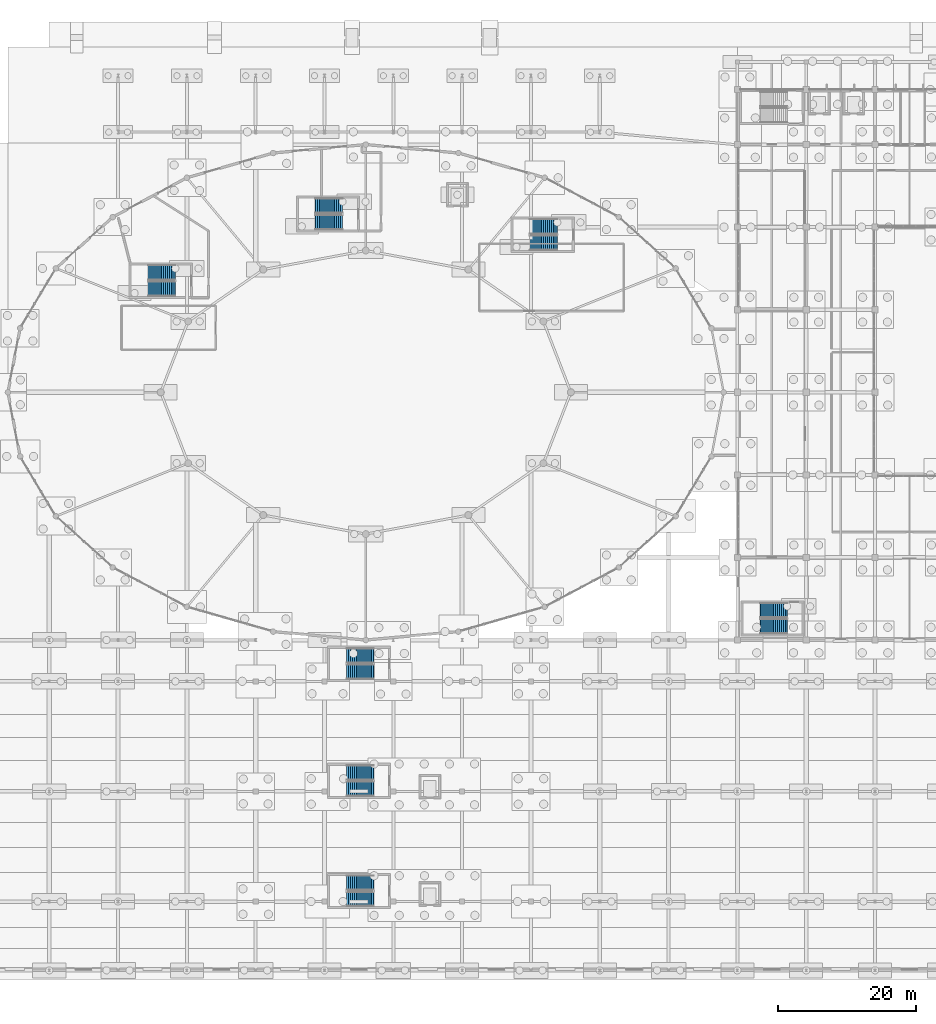
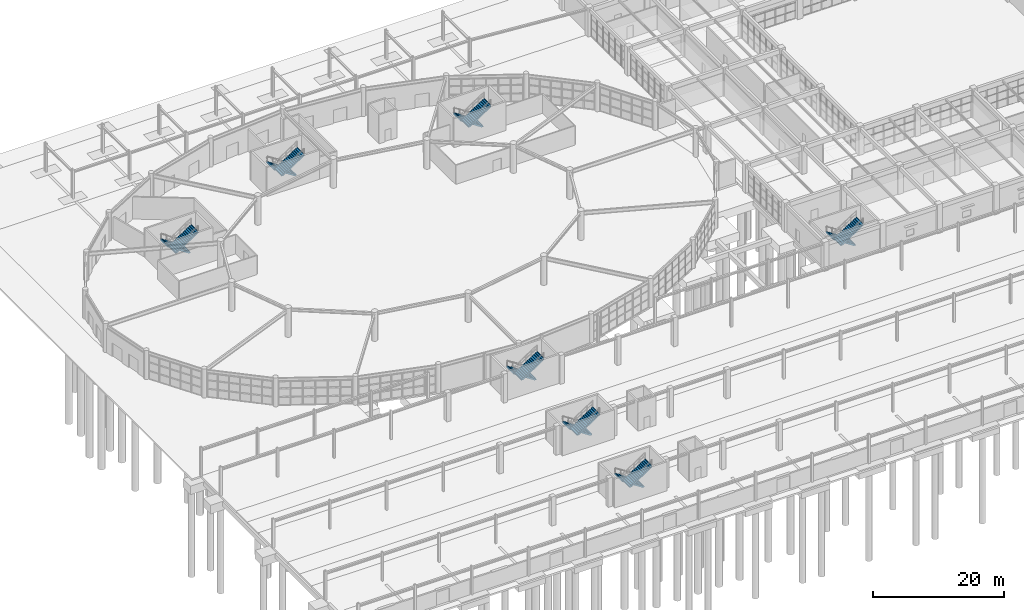
# One storey, part 85 of 99: 14 stair flights, 7 elements without a shape of their own.
"""IFC4 building model written with IfcOpenShell, lengths in metres."""

import ifcopenshell
import ifcopenshell.guid

model = None  # the IFC model being written
_history = None  # IfcOwnerHistory: only IFC2X3 demands one
_inside = {}  # id of a spatial element -> (the spatial element, [elements in it])
_under = {}  # id of a project, library or spatial element -> (it, [spatial elements below it])
_declared = {}  # id of a project -> (the project, [libraries it declares])
_typed = {}  # id of a type object -> (the type object, [elements of that type])
_made_of = {}  # id of a material, layer set ... -> (it, [elements and type objects made of it])


def new_model(schema):
    """Start an empty IFC model of exactly this schema.

    Asked for "IFC4X3", IfcOpenShell would pick the latest addendum, in which some entities
    have other attributes; the version numbers below select the first issue.
    IFC2X3 requires an IfcOwnerHistory on every rooted entity: one is made here for all.
    """
    global model, _history
    if schema == "IFC4X3":
        model = ifcopenshell.file(schema_version=(4, 3, 0, 0))
    else:
        model = ifcopenshell.file(schema=schema)
    _inside.clear()
    _under.clear()
    _declared.clear()
    _typed.clear()
    _made_of.clear()
    _history = None
    if model.schema == "IFC2X3":
        org = make("IfcOrganization", Name="unknown")
        user = make(
            "IfcPersonAndOrganization",
            ThePerson=make("IfcPerson", FamilyName="unknown"),
            TheOrganization=org,
        )
        app = make(
            "IfcApplication",
            ApplicationDeveloper=org,
            Version="unknown",
            ApplicationFullName="unknown",
            ApplicationIdentifier="unknown",
        )
        _history = make(
            "IfcOwnerHistory",
            OwningUser=user,
            OwningApplication=app,
            ChangeAction="ADDED",
            CreationDate=0,
        )
    return model


def make(cls, **values):
    """One entity of the class cls with the attributes given. An attribute that is None is left unset."""
    return model.create_entity(
        cls, **{name: value for name, value in values.items() if value is not None}
    )


def rooted(cls, **values):
    """An entity with a GlobalId (a new one), such as an element, a storey or a relation."""
    return make(cls, GlobalId=ifcopenshell.guid.new(), OwnerHistory=_history, **values)


def si_unit(unit_type, name, prefix=None):
    """IfcSIUnit, for example si_unit("LENGTHUNIT", "METRE", prefix="MILLI")."""
    return make("IfcSIUnit", UnitType=unit_type, Prefix=prefix, Name=name)


def assignment(units):
    """IfcUnitAssignment: the units of a project."""
    return None if units is None else make("IfcUnitAssignment", Units=units)


def point(xyz):
    """IfcCartesianPoint."""
    return None if xyz is None else make("IfcCartesianPoint", Coordinates=xyz)


def direction(xyz):
    """IfcDirection."""
    return None if xyz is None else make("IfcDirection", DirectionRatios=xyz)


def frame(location, z_axis=None, x_axis=None):
    """IfcAxis2Placement3D, a coordinate frame: its origin and axes. An axis left out is left unset."""
    return make(
        "IfcAxis2Placement3D",
        Location=point(location),
        Axis=direction(z_axis),
        RefDirection=direction(x_axis),
    )


def origin():
    """The frame at (0, 0, 0) with its axes left unset."""
    return frame((0.0, 0.0, 0.0))


def place(relative_to, where):
    """IfcLocalPlacement: puts the frame where relative to a parent placement (None: the world)."""
    return make(
        "IfcLocalPlacement", PlacementRelTo=relative_to, RelativePlacement=where
    )


def context(
    kind, dimensions, precision=None, world=None, true_north=None, identifier=None
):
    """IfcGeometricRepresentationContext, for example the 3D "Model" context."""
    return make(
        "IfcGeometricRepresentationContext",
        ContextIdentifier=identifier,
        ContextType=kind,
        CoordinateSpaceDimension=dimensions,
        Precision=precision,
        WorldCoordinateSystem=world,
        TrueNorth=true_north,
    )


def subcontext(parent, identifier, kind, view, scale=None):
    """IfcGeometricRepresentationSubContext, for example "Body" below "Model"."""
    return make(
        "IfcGeometricRepresentationSubContext",
        ContextIdentifier=identifier,
        ContextType=kind,
        ParentContext=parent,
        TargetScale=scale,
        TargetView=view,
    )


def project(units=None, contexts=None):
    """IfcProject with its units and contexts."""
    return rooted(
        "IfcProject",
        Name="project",
        RepresentationContexts=contexts,
        UnitsInContext=assignment(units),
    )


def spatial(cls, under=None, at=None, **own):
    """A site, building, storey or space (cls), placed at a placement, below another one or the project."""
    s = rooted(cls, ObjectPlacement=at, **own)
    if under is not None:
        _under.setdefault(under.id(), (under, []))[1].append(s)
    return s


def polyline(points):
    """IfcPolyline through the points."""
    return make("IfcPolyline", Points=[point(p) for p in points])


def outline(outer, holes=None, kind="AREA"):
    """IfcArbitraryClosedProfileDef: a profile drawn as a closed curve; with holes, ...WithVoids."""
    if holes is None:
        return make("IfcArbitraryClosedProfileDef", ProfileType=kind, OuterCurve=outer)
    return make(
        "IfcArbitraryProfileDefWithVoids",
        ProfileType=kind,
        OuterCurve=outer,
        InnerCurves=holes,
    )


def extrude(swept, where, along, depth):
    """IfcExtrudedAreaSolid: the profile swept, set in the frame where, extruded along a direction by depth."""
    return make(
        "IfcExtrudedAreaSolid",
        SweptArea=swept,
        Position=where,
        ExtrudedDirection=direction(along),
        Depth=depth,
    )


def shape(context_of_items, identifier, shape_type, items):
    """IfcShapeRepresentation: the items that make up one representation, for example the "Body"."""
    return make(
        "IfcShapeRepresentation",
        ContextOfItems=context_of_items,
        RepresentationIdentifier=identifier,
        RepresentationType=shape_type,
        Items=items,
    )


def material(Name=None, Category=None):
    """IfcMaterial."""
    return make("IfcMaterial", Name=Name, Category=Category)


def made_of(thing, what):
    """Note that an element or type object is made of a material, layer set ...; save() writes the relation."""
    if what is not None:
        _made_of.setdefault(what.id(), (what, []))[1].append(thing)
    return thing


def type_object(cls, material=None, **own):
    """A type object (cls), such as IfcWallType, which elements share."""
    return made_of(rooted(cls, **own), material)


def element(
    cls,
    number,
    at=None,
    inside=None,
    cuts=None,
    type_object=None,
    material=None,
    context=None,
    identifier="Body",
    shape_type=None,
    held_by="IfcProductDefinitionShape",
    body=None,
    shapes=None,
    **own,
):
    """One element of the class cls, such as IfcWall. Its Tag is "e" and its number.

    at: its placement. inside: the storey or other place that contains it. cuts: it is an
    opening in that element (IfcRelVoidsElement). A single representation is given by context,
    identifier, shape_type and body (its items); several are given by shapes. held_by: the class
    of the entity that holds the representations. save() writes the other relations.
    """
    e = rooted(cls, Tag="e%d" % number, ObjectPlacement=at, **own)
    if body is not None:
        shapes = [shape(context, identifier, shape_type, body)]
    if shapes is not None:
        e.Representation = make(held_by, Representations=shapes)
    if inside is not None:
        _inside.setdefault(inside.id(), (inside, []))[1].append(e)
    if cuts is not None:
        rooted(
            "IfcRelVoidsElement", RelatingBuildingElement=cuts, RelatedOpeningElement=e
        )
    if type_object is not None:
        _typed.setdefault(type_object.id(), (type_object, []))[1].append(e)
    return made_of(e, material)


def aggregate(whole, parts):
    """IfcRelAggregates: a whole, such as a stair, and the parts it consists of."""
    return rooted("IfcRelAggregates", RelatingObject=whole, RelatedObjects=parts)


def save(model, path):
    """Write the relations noted so far, then the file.

    IfcRelAggregates (storeys below a building ...), IfcRelContainedInSpatialStructure (elements
    in a storey), IfcRelDefinesByType, IfcRelAssociatesMaterial and IfcRelDeclares: one each for
    every whole, place, type object, material and project.
    """
    for whole, parts in _under.values():
        aggregate(whole, parts)
    for where, things in _inside.values():
        rooted(
            "IfcRelContainedInSpatialStructure",
            RelatedElements=things,
            RelatingStructure=where,
        )
    for kind, things in _typed.values():
        rooted("IfcRelDefinesByType", RelatedObjects=things, RelatingType=kind)
    for what, things in _made_of.values():
        rooted("IfcRelAssociatesMaterial", RelatedObjects=things, RelatingMaterial=what)
    for by, libraries in _declared.values():
        rooted("IfcRelDeclares", RelatingContext=by, RelatedDefinitions=libraries)
    model.write(path)


model = new_model("IFC4")

# Units and contexts
model_context = context("Model", 3, precision=1e-05, world=origin(), true_north=direction((0.0, 1.0)))
body_context = subcontext(model_context, "Body", "Model", "MODEL_VIEW")
ifc_project = project(units=[si_unit("LENGTHUNIT", "METRE"), si_unit("AREAUNIT", "SQUARE_METRE"), si_unit("VOLUMEUNIT", "CUBIC_METRE"), si_unit("PLANEANGLEUNIT", "RADIAN"), si_unit("MASSUNIT", "GRAM", prefix="KILO")], contexts=[model_context])

# Site, building, storey
site_placement = place(None, origin())
site = spatial("IfcSite", under=ifc_project, at=site_placement, CompositionType="ELEMENT")
building_placement = place(site_placement, origin())
building = spatial("IfcBuilding", under=site, at=building_placement, Name="Kivolera Central Railway Station", CompositionType="ELEMENT")
storey_placement = place(building_placement, origin())
storey = spatial("IfcBuildingStorey", under=building, at=storey_placement, Name="L00", CompositionType="ELEMENT", Elevation=0.0)

# Stair, stair flights
ifc_material = material(Name="Concrete C40/50", Category="concrete")
stair_type_1 = type_object("IfcStairType", Name="STR-2160-30", PredefinedType="HALF_TURN_STAIR", material=ifc_material)
stair_1_placement = place(storey_placement, origin())
stair_1 = element("IfcStair", 1, at=stair_1_placement, inside=storey, type_object=stair_type_1, Name="L00 Protected Exit Stair ST4", PredefinedType="HALF_TURN_STAIR")
stair_flight_type_1 = type_object("IfcStairFlightType", Name="SFL-2160-30", PredefinedType="STRAIGHT", material=ifc_material)
stair_flight_1_placement = place(storey_placement, frame((125.239990234375, 58.320068359375, 0.0), z_axis=(0.0, 0.0, 1.0), x_axis=(-1.0, 0.0, 0.0)))
stair_flight_1 = element("IfcStairFlight", 2, at=stair_flight_1_placement, type_object=stair_flight_type_1, Name="ST4 flight 1", NumberOfRisers=15, NumberOfTreads=14, PredefinedType="STRAIGHT", RiserHeight=0.18, TreadLength=0.28, context=body_context, shape_type="SweptSolid", body=[
    extrude(outline(polyline([(-0.0400390625, 0.0), (0.0, 0.0), (0.0, 0.179931640625), (0.280029296875, 0.179931640625), (0.280029296875, 0.360107421875), (0.56005859375, 0.360107421875), (0.56005859375, 0.5400390625), (0.840087890625, 0.5400390625), (0.840087890625, 0.719970703125), (1.1201171875, 0.719970703125), (1.1201171875, 0.89990234375), (1.39990234375, 0.89990234375), (1.39990234375, 1.080078125), (1.679931640625, 1.080078125), (1.679931640625, 1.260009765625), (1.9599609375, 1.260009765625), (1.9599609375, 1.43994140625), (2.239990234375, 1.43994140625), (2.239990234375, 1.6201171875), (2.52001953125, 1.6201171875), (2.52001953125, 1.800048828125), (2.800048828125, 1.800048828125), (2.800048828125, 1.97998046875), (3.080078125, 1.97998046875), (3.080078125, 2.159912109375), (3.360107421875, 2.159912109375), (3.360107421875, 2.340087890625), (3.639892578125, 2.340087890625), (3.639892578125, 2.52001953125), (3.919921875, 2.52001953125), (3.919921875, 2.699951171875), (3.9599609375, 2.699951171875), (3.9599609375, 2.664306640625), (3.9599609375, 2.62841796875), (3.9599609375, 2.592529296875), (3.9599609375, 2.556640625), (3.9599609375, 2.52099609375), (3.9599609375, 2.485107421875), (3.9599609375, 2.44921875), (3.9599609375, 2.413330078125), (3.9599609375, 2.377685546875), (3.9599609375, 2.341796875), (0.277099609375, -0.080078125), (-0.0400390625, -0.072021484375), (-0.0400390625, -0.06396484375), (-0.0400390625, -0.055908203125), (-0.0400390625, -0.048095703125), (-0.0400390625, -0.0400390625), (-0.0400390625, -0.031982421875), (-0.0400390625, -0.02392578125), (-0.0400390625, -0.01611328125), (-0.0400390625, -0.008056640625), (-0.0400390625, 0.0)])), frame((0.0, 1.080078125, 0.0), z_axis=(0.0, -1.0, 0.0), x_axis=(1.0, 0.0, 0.0)), (0.0, 0.0, 1.0), 2.159912109375),
])
stair_flight_2_placement = place(storey_placement, frame((121.320068359375, 55.97998046875, 2.699951171875), z_axis=(0.0, 0.0, 1.0), x_axis=(1.0, 0.0, 0.0)))
stair_flight_2 = element("IfcStairFlight", 3, at=stair_flight_2_placement, type_object=stair_flight_type_1, Name="ST4 flight 2", NumberOfRisers=15, NumberOfTreads=14, PredefinedType="STRAIGHT", RiserHeight=0.18, TreadLength=0.28, context=body_context, shape_type="SweptSolid", body=[
    extrude(outline(polyline([(-0.0400390625, 0.0), (0.0, 0.0), (0.0, 0.179931640625), (0.280029296875, 0.179931640625), (0.280029296875, 0.360107421875), (0.56005859375, 0.360107421875), (0.56005859375, 0.5400390625), (0.840087890625, 0.5400390625), (0.840087890625, 0.719970703125), (1.1201171875, 0.719970703125), (1.1201171875, 0.89990234375), (1.39990234375, 0.89990234375), (1.39990234375, 1.080078125), (1.679931640625, 1.080078125), (1.679931640625, 1.260009765625), (1.9599609375, 1.260009765625), (1.9599609375, 1.43994140625), (2.239990234375, 1.43994140625), (2.239990234375, 1.6201171875), (2.52001953125, 1.6201171875), (2.52001953125, 1.800048828125), (2.800048828125, 1.800048828125), (2.800048828125, 1.97998046875), (3.080078125, 1.97998046875), (3.080078125, 2.159912109375), (3.360107421875, 2.159912109375), (3.360107421875, 2.340087890625), (3.639892578125, 2.340087890625), (3.639892578125, 2.52001953125), (3.919921875, 2.52001953125), (3.919921875, 2.699951171875), (3.9599609375, 2.699951171875), (3.9599609375, 2.664306640625), (3.9599609375, 2.62841796875), (3.9599609375, 2.592529296875), (3.9599609375, 2.556640625), (3.9599609375, 2.52099609375), (3.9599609375, 2.485107421875), (3.9599609375, 2.44921875), (3.9599609375, 2.413330078125), (3.9599609375, 2.377685546875), (3.9599609375, 2.341796875), (0.277099609375, -0.080078125), (-0.0400390625, -0.072021484375), (-0.0400390625, -0.06396484375), (-0.0400390625, -0.055908203125), (-0.0400390625, -0.048095703125), (-0.0400390625, -0.0400390625), (-0.0400390625, -0.031982421875), (-0.0400390625, -0.02392578125), (-0.0400390625, -0.01611328125), (-0.0400390625, -0.008056640625), (-0.0400390625, 0.0)])), frame((0.0, 1.080078125, 0.0), z_axis=(0.0, -1.0, 0.0), x_axis=(1.0, 0.0, 0.0)), (0.0, 0.0, 1.0), 2.159912109375),
])
aggregate(stair_1, [stair_flight_1, stair_flight_2])

stair_2_placement = place(storey_placement, origin())
stair_2 = element("IfcStair", 4, at=stair_2_placement, inside=storey, type_object=stair_type_1, Name="L00 Platform 3 Interchange Exit Stair ST8", PredefinedType="HALF_TURN_STAIR")
stair_flight_3_placement = place(storey_placement, frame((65.139892578125, 51.719970703125, 0.0), z_axis=(0.0, 0.0, 1.0), x_axis=(-1.0, 0.0, 0.0)))
stair_flight_3 = element("IfcStairFlight", 5, at=stair_flight_3_placement, type_object=stair_flight_type_1, Name="ST8 flight 1", NumberOfRisers=15, NumberOfTreads=14, PredefinedType="STRAIGHT", RiserHeight=0.18, TreadLength=0.28, context=body_context, shape_type="SweptSolid", body=[
    extrude(outline(polyline([(-0.0400390625, 0.0), (0.0, 0.0), (0.0, 0.179931640625), (0.280029296875, 0.179931640625), (0.280029296875, 0.360107421875), (0.56005859375, 0.360107421875), (0.56005859375, 0.5400390625), (0.840087890625, 0.5400390625), (0.840087890625, 0.719970703125), (1.1201171875, 0.719970703125), (1.1201171875, 0.89990234375), (1.39990234375, 0.89990234375), (1.39990234375, 1.080078125), (1.679931640625, 1.080078125), (1.679931640625, 1.260009765625), (1.9599609375, 1.260009765625), (1.9599609375, 1.43994140625), (2.239990234375, 1.43994140625), (2.239990234375, 1.6201171875), (2.52001953125, 1.6201171875), (2.52001953125, 1.800048828125), (2.800048828125, 1.800048828125), (2.800048828125, 1.97998046875), (3.080078125, 1.97998046875), (3.080078125, 2.159912109375), (3.360107421875, 2.159912109375), (3.360107421875, 2.340087890625), (3.639892578125, 2.340087890625), (3.639892578125, 2.52001953125), (3.919921875, 2.52001953125), (3.919921875, 2.699951171875), (3.9599609375, 2.699951171875), (3.9599609375, 2.664306640625), (3.9599609375, 2.62841796875), (3.9599609375, 2.592529296875), (3.9599609375, 2.556640625), (3.9599609375, 2.52099609375), (3.9599609375, 2.485107421875), (3.9599609375, 2.44921875), (3.9599609375, 2.413330078125), (3.9599609375, 2.377685546875), (3.9599609375, 2.341796875), (0.277099609375, -0.080078125), (-0.0400390625, -0.072021484375), (-0.0400390625, -0.06396484375), (-0.0400390625, -0.055908203125), (-0.0400390625, -0.048095703125), (-0.0400390625, -0.0400390625), (-0.0400390625, -0.031982421875), (-0.0400390625, -0.02392578125), (-0.0400390625, -0.01611328125), (-0.0400390625, -0.008056640625), (-0.0400390625, 0.0)])), frame((0.0, 1.080078125, 0.0), z_axis=(0.0, -1.0, 0.0), x_axis=(1.0, 0.0, 0.0)), (0.0, 0.0, 1.0), 2.159912109375),
])
stair_flight_4_placement = place(storey_placement, frame((61.219970703125, 49.3798828125, 2.699951171875), z_axis=(0.0, 0.0, 1.0), x_axis=(1.0, 0.0, 0.0)))
stair_flight_4 = element("IfcStairFlight", 6, at=stair_flight_4_placement, type_object=stair_flight_type_1, Name="ST8 flight 2", NumberOfRisers=15, NumberOfTreads=14, PredefinedType="STRAIGHT", RiserHeight=0.18, TreadLength=0.28, context=body_context, shape_type="SweptSolid", body=[
    extrude(outline(polyline([(-0.0400390625, 0.0), (0.0, 0.0), (0.0, 0.179931640625), (0.280029296875, 0.179931640625), (0.280029296875, 0.360107421875), (0.56005859375, 0.360107421875), (0.56005859375, 0.5400390625), (0.840087890625, 0.5400390625), (0.840087890625, 0.719970703125), (1.1201171875, 0.719970703125), (1.1201171875, 0.89990234375), (1.39990234375, 0.89990234375), (1.39990234375, 1.080078125), (1.679931640625, 1.080078125), (1.679931640625, 1.260009765625), (1.9599609375, 1.260009765625), (1.9599609375, 1.43994140625), (2.239990234375, 1.43994140625), (2.239990234375, 1.6201171875), (2.52001953125, 1.6201171875), (2.52001953125, 1.800048828125), (2.800048828125, 1.800048828125), (2.800048828125, 1.97998046875), (3.080078125, 1.97998046875), (3.080078125, 2.159912109375), (3.360107421875, 2.159912109375), (3.360107421875, 2.340087890625), (3.639892578125, 2.340087890625), (3.639892578125, 2.52001953125), (3.919921875, 2.52001953125), (3.919921875, 2.699951171875), (3.9599609375, 2.699951171875), (3.9599609375, 2.664306640625), (3.9599609375, 2.62841796875), (3.9599609375, 2.592529296875), (3.9599609375, 2.556640625), (3.9599609375, 2.52099609375), (3.9599609375, 2.485107421875), (3.9599609375, 2.44921875), (3.9599609375, 2.413330078125), (3.9599609375, 2.377685546875), (3.9599609375, 2.341796875), (0.277099609375, -0.080078125), (-0.0400390625, -0.072021484375), (-0.0400390625, -0.06396484375), (-0.0400390625, -0.055908203125), (-0.0400390625, -0.048095703125), (-0.0400390625, -0.0400390625), (-0.0400390625, -0.031982421875), (-0.0400390625, -0.02392578125), (-0.0400390625, -0.01611328125), (-0.0400390625, -0.008056640625), (-0.0400390625, 0.0)])), frame((0.0, 1.080078125, 0.0), z_axis=(0.0, -1.0, 0.0), x_axis=(1.0, 0.0, 0.0)), (0.0, 0.0, 1.0), 2.159912109375),
])
aggregate(stair_2, [stair_flight_3, stair_flight_4])

stair_3_placement = place(storey_placement, origin())
stair_3 = element("IfcStair", 7, at=stair_3_placement, inside=storey, type_object=stair_type_1, Name="L00 Platform 2 Interchange Exit Stair ST9", PredefinedType="HALF_TURN_STAIR")
stair_flight_5_placement = place(storey_placement, frame((65.139892578125, 34.719970703125, 0.0), z_axis=(0.0, 0.0, 1.0), x_axis=(-1.0, 0.0, 0.0)))
stair_flight_5 = element("IfcStairFlight", 8, at=stair_flight_5_placement, type_object=stair_flight_type_1, Name="ST9 flight 1", NumberOfRisers=15, NumberOfTreads=14, PredefinedType="STRAIGHT", RiserHeight=0.18, TreadLength=0.28, context=body_context, shape_type="SweptSolid", body=[
    extrude(outline(polyline([(-0.0400390625, 0.0), (0.0, 0.0), (0.0, 0.179931640625), (0.280029296875, 0.179931640625), (0.280029296875, 0.360107421875), (0.56005859375, 0.360107421875), (0.56005859375, 0.5400390625), (0.840087890625, 0.5400390625), (0.840087890625, 0.719970703125), (1.1201171875, 0.719970703125), (1.1201171875, 0.89990234375), (1.39990234375, 0.89990234375), (1.39990234375, 1.080078125), (1.679931640625, 1.080078125), (1.679931640625, 1.260009765625), (1.9599609375, 1.260009765625), (1.9599609375, 1.43994140625), (2.239990234375, 1.43994140625), (2.239990234375, 1.6201171875), (2.52001953125, 1.6201171875), (2.52001953125, 1.800048828125), (2.800048828125, 1.800048828125), (2.800048828125, 1.97998046875), (3.080078125, 1.97998046875), (3.080078125, 2.159912109375), (3.360107421875, 2.159912109375), (3.360107421875, 2.340087890625), (3.639892578125, 2.340087890625), (3.639892578125, 2.52001953125), (3.919921875, 2.52001953125), (3.919921875, 2.699951171875), (3.9599609375, 2.699951171875), (3.9599609375, 2.664306640625), (3.9599609375, 2.62841796875), (3.9599609375, 2.592529296875), (3.9599609375, 2.556640625), (3.9599609375, 2.52099609375), (3.9599609375, 2.485107421875), (3.9599609375, 2.44921875), (3.9599609375, 2.413330078125), (3.9599609375, 2.377685546875), (3.9599609375, 2.341796875), (0.277099609375, -0.080078125), (-0.0400390625, -0.072021484375), (-0.0400390625, -0.06396484375), (-0.0400390625, -0.055908203125), (-0.0400390625, -0.048095703125), (-0.0400390625, -0.0400390625), (-0.0400390625, -0.031982421875), (-0.0400390625, -0.02392578125), (-0.0400390625, -0.01611328125), (-0.0400390625, -0.008056640625), (-0.0400390625, 0.0)])), frame((0.0, 1.080078125, 0.0), z_axis=(0.0, -1.0, 0.0), x_axis=(1.0, 0.0, 0.0)), (0.0, 0.0, 1.0), 2.159912109375),
])
stair_flight_6_placement = place(storey_placement, frame((61.219970703125, 32.3798828125, 2.699951171875), z_axis=(0.0, 0.0, 1.0), x_axis=(1.0, 0.0, 0.0)))
stair_flight_6 = element("IfcStairFlight", 9, at=stair_flight_6_placement, type_object=stair_flight_type_1, Name="ST9 flight 2", NumberOfRisers=15, NumberOfTreads=14, PredefinedType="STRAIGHT", RiserHeight=0.18, TreadLength=0.28, context=body_context, shape_type="SweptSolid", body=[
    extrude(outline(polyline([(-0.0400390625, 0.0), (0.0, 0.0), (0.0, 0.179931640625), (0.280029296875, 0.179931640625), (0.280029296875, 0.360107421875), (0.56005859375, 0.360107421875), (0.56005859375, 0.5400390625), (0.840087890625, 0.5400390625), (0.840087890625, 0.719970703125), (1.1201171875, 0.719970703125), (1.1201171875, 0.89990234375), (1.39990234375, 0.89990234375), (1.39990234375, 1.080078125), (1.679931640625, 1.080078125), (1.679931640625, 1.260009765625), (1.9599609375, 1.260009765625), (1.9599609375, 1.43994140625), (2.239990234375, 1.43994140625), (2.239990234375, 1.6201171875), (2.52001953125, 1.6201171875), (2.52001953125, 1.800048828125), (2.800048828125, 1.800048828125), (2.800048828125, 1.97998046875), (3.080078125, 1.97998046875), (3.080078125, 2.159912109375), (3.360107421875, 2.159912109375), (3.360107421875, 2.340087890625), (3.639892578125, 2.340087890625), (3.639892578125, 2.52001953125), (3.919921875, 2.52001953125), (3.919921875, 2.699951171875), (3.9599609375, 2.699951171875), (3.9599609375, 2.664306640625), (3.9599609375, 2.62841796875), (3.9599609375, 2.592529296875), (3.9599609375, 2.556640625), (3.9599609375, 2.52099609375), (3.9599609375, 2.485107421875), (3.9599609375, 2.44921875), (3.9599609375, 2.413330078125), (3.9599609375, 2.377685546875), (3.9599609375, 2.341796875), (0.277099609375, -0.080078125), (-0.0400390625, -0.072021484375), (-0.0400390625, -0.06396484375), (-0.0400390625, -0.055908203125), (-0.0400390625, -0.048095703125), (-0.0400390625, -0.0400390625), (-0.0400390625, -0.031982421875), (-0.0400390625, -0.02392578125), (-0.0400390625, -0.01611328125), (-0.0400390625, -0.008056640625), (-0.0400390625, 0.0)])), frame((0.0, 1.080078125, 0.0), z_axis=(0.0, -1.0, 0.0), x_axis=(1.0, 0.0, 0.0)), (0.0, 0.0, 1.0), 2.159912109375),
])
aggregate(stair_3, [stair_flight_5, stair_flight_6])

stair_4_placement = place(storey_placement, origin())
stair_4 = element("IfcStair", 10, at=stair_4_placement, inside=storey, type_object=stair_type_1, Name="L00 Platform 1 Interchange Exit Stair ST10", PredefinedType="HALF_TURN_STAIR")
stair_flight_7_placement = place(storey_placement, frame((65.139892578125, 18.719970703125, 0.0), z_axis=(0.0, 0.0, 1.0), x_axis=(-1.0, 0.0, 0.0)))
stair_flight_7 = element("IfcStairFlight", 11, at=stair_flight_7_placement, type_object=stair_flight_type_1, Name="ST10 flight 1", NumberOfRisers=15, NumberOfTreads=14, PredefinedType="STRAIGHT", RiserHeight=0.18, TreadLength=0.28, context=body_context, shape_type="SweptSolid", body=[
    extrude(outline(polyline([(-0.0400390625, 0.0), (0.0, 0.0), (0.0, 0.179931640625), (0.280029296875, 0.179931640625), (0.280029296875, 0.360107421875), (0.56005859375, 0.360107421875), (0.56005859375, 0.5400390625), (0.840087890625, 0.5400390625), (0.840087890625, 0.719970703125), (1.1201171875, 0.719970703125), (1.1201171875, 0.89990234375), (1.39990234375, 0.89990234375), (1.39990234375, 1.080078125), (1.679931640625, 1.080078125), (1.679931640625, 1.260009765625), (1.9599609375, 1.260009765625), (1.9599609375, 1.43994140625), (2.239990234375, 1.43994140625), (2.239990234375, 1.6201171875), (2.52001953125, 1.6201171875), (2.52001953125, 1.800048828125), (2.800048828125, 1.800048828125), (2.800048828125, 1.97998046875), (3.080078125, 1.97998046875), (3.080078125, 2.159912109375), (3.360107421875, 2.159912109375), (3.360107421875, 2.340087890625), (3.639892578125, 2.340087890625), (3.639892578125, 2.52001953125), (3.919921875, 2.52001953125), (3.919921875, 2.699951171875), (3.9599609375, 2.699951171875), (3.9599609375, 2.664306640625), (3.9599609375, 2.62841796875), (3.9599609375, 2.592529296875), (3.9599609375, 2.556640625), (3.9599609375, 2.52099609375), (3.9599609375, 2.485107421875), (3.9599609375, 2.44921875), (3.9599609375, 2.413330078125), (3.9599609375, 2.377685546875), (3.9599609375, 2.341796875), (0.277099609375, -0.080078125), (-0.0400390625, -0.072021484375), (-0.0400390625, -0.06396484375), (-0.0400390625, -0.055908203125), (-0.0400390625, -0.048095703125), (-0.0400390625, -0.0400390625), (-0.0400390625, -0.031982421875), (-0.0400390625, -0.02392578125), (-0.0400390625, -0.01611328125), (-0.0400390625, -0.008056640625), (-0.0400390625, 0.0)])), frame((0.0, 1.080078125, 0.0), z_axis=(0.0, -1.0, 0.0), x_axis=(1.0, 0.0, 0.0)), (0.0, 0.0, 1.0), 2.159912109375),
])
stair_flight_8_placement = place(storey_placement, frame((61.219970703125, 16.3798828125, 2.699951171875), z_axis=(0.0, 0.0, 1.0), x_axis=(1.0, 0.0, 0.0)))
stair_flight_8 = element("IfcStairFlight", 12, at=stair_flight_8_placement, type_object=stair_flight_type_1, Name="ST10 flight 2", NumberOfRisers=15, NumberOfTreads=14, PredefinedType="STRAIGHT", RiserHeight=0.18, TreadLength=0.28, context=body_context, shape_type="SweptSolid", body=[
    extrude(outline(polyline([(-0.0400390625, 0.0), (0.0, 0.0), (0.0, 0.179931640625), (0.280029296875, 0.179931640625), (0.280029296875, 0.360107421875), (0.56005859375, 0.360107421875), (0.56005859375, 0.5400390625), (0.840087890625, 0.5400390625), (0.840087890625, 0.719970703125), (1.1201171875, 0.719970703125), (1.1201171875, 0.89990234375), (1.39990234375, 0.89990234375), (1.39990234375, 1.080078125), (1.679931640625, 1.080078125), (1.679931640625, 1.260009765625), (1.9599609375, 1.260009765625), (1.9599609375, 1.43994140625), (2.239990234375, 1.43994140625), (2.239990234375, 1.6201171875), (2.52001953125, 1.6201171875), (2.52001953125, 1.800048828125), (2.800048828125, 1.800048828125), (2.800048828125, 1.97998046875), (3.080078125, 1.97998046875), (3.080078125, 2.159912109375), (3.360107421875, 2.159912109375), (3.360107421875, 2.340087890625), (3.639892578125, 2.340087890625), (3.639892578125, 2.52001953125), (3.919921875, 2.52001953125), (3.919921875, 2.699951171875), (3.9599609375, 2.699951171875), (3.9599609375, 2.664306640625), (3.9599609375, 2.62841796875), (3.9599609375, 2.592529296875), (3.9599609375, 2.556640625), (3.9599609375, 2.52099609375), (3.9599609375, 2.485107421875), (3.9599609375, 2.44921875), (3.9599609375, 2.413330078125), (3.9599609375, 2.377685546875), (3.9599609375, 2.341796875), (0.277099609375, -0.080078125), (-0.0400390625, -0.072021484375), (-0.0400390625, -0.06396484375), (-0.0400390625, -0.055908203125), (-0.0400390625, -0.048095703125), (-0.0400390625, -0.0400390625), (-0.0400390625, -0.031982421875), (-0.0400390625, -0.02392578125), (-0.0400390625, -0.01611328125), (-0.0400390625, -0.008056640625), (-0.0400390625, 0.0)])), frame((0.0, 1.080078125, 0.0), z_axis=(0.0, -1.0, 0.0), x_axis=(1.0, 0.0, 0.0)), (0.0, 0.0, 1.0), 2.159912109375),
])
aggregate(stair_4, [stair_flight_7, stair_flight_8])

stair_type_2 = type_object("IfcStairType", Name="STR-2200-30", PredefinedType="HALF_TURN_STAIR", material=ifc_material)
stair_5_placement = place(storey_placement, origin())
stair_5 = element("IfcStair", 13, at=stair_5_placement, inside=storey, type_object=stair_type_2, Name="L00 North Concourse Exit Stair ST5", PredefinedType="HALF_TURN_STAIR")
stair_flight_type_2 = type_object("IfcStairFlightType", Name="SFL-2200-30", PredefinedType="STRAIGHT", material=ifc_material)
stair_flight_9_placement = place(storey_placement, frame((60.60009765625, 117.10009765625, 0.0), z_axis=(0.0, 0.0, 1.0), x_axis=(-1.0, 0.0, 0.0)))
stair_flight_9 = element("IfcStairFlight", 14, at=stair_flight_9_placement, type_object=stair_flight_type_2, Name="ST5 flight 1", NumberOfRisers=15, NumberOfTreads=14, PredefinedType="STRAIGHT", RiserHeight=0.18, TreadLength=0.28, context=body_context, shape_type="SweptSolid", body=[
    extrude(outline(polyline([(-0.0400390625, 0.0), (0.0, 0.0), (0.0, 0.179931640625), (0.280029296875, 0.179931640625), (0.280029296875, 0.360107421875), (0.56005859375, 0.360107421875), (0.56005859375, 0.5400390625), (0.840087890625, 0.5400390625), (0.840087890625, 0.719970703125), (1.1201171875, 0.719970703125), (1.1201171875, 0.89990234375), (1.39990234375, 0.89990234375), (1.39990234375, 1.080078125), (1.679931640625, 1.080078125), (1.679931640625, 1.260009765625), (1.9599609375, 1.260009765625), (1.9599609375, 1.43994140625), (2.239990234375, 1.43994140625), (2.239990234375, 1.6201171875), (2.52001953125, 1.6201171875), (2.52001953125, 1.800048828125), (2.800048828125, 1.800048828125), (2.800048828125, 1.97998046875), (3.080078125, 1.97998046875), (3.080078125, 2.159912109375), (3.360107421875, 2.159912109375), (3.360107421875, 2.340087890625), (3.639892578125, 2.340087890625), (3.639892578125, 2.52001953125), (3.919921875, 2.52001953125), (3.919921875, 2.699951171875), (3.9599609375, 2.699951171875), (3.9599609375, 2.664306640625), (3.9599609375, 2.62841796875), (3.9599609375, 2.592529296875), (3.9599609375, 2.556640625), (3.9599609375, 2.52099609375), (3.9599609375, 2.485107421875), (3.9599609375, 2.44921875), (3.9599609375, 2.413330078125), (3.9599609375, 2.377685546875), (3.9599609375, 2.341796875), (0.277099609375, -0.080078125), (-0.0400390625, -0.072021484375), (-0.0400390625, -0.06396484375), (-0.0400390625, -0.055908203125), (-0.0400390625, -0.048095703125), (-0.0400390625, -0.0400390625), (-0.0400390625, -0.031982421875), (-0.0400390625, -0.02392578125), (-0.0400390625, -0.01611328125), (-0.0400390625, -0.008056640625), (-0.0400390625, 0.0)])), frame((0.0, 1.10009765625, 0.0), z_axis=(0.0, -1.0, 0.0), x_axis=(1.0, 0.0, 0.0)), (0.0, 0.0, 1.0), 2.199951171875),
])
stair_flight_10_placement = place(storey_placement, frame((56.679931640625, 114.719970703125, 2.699951171875), z_axis=(0.0, 0.0, 1.0), x_axis=(1.0, 0.0, 0.0)))
stair_flight_10 = element("IfcStairFlight", 15, at=stair_flight_10_placement, type_object=stair_flight_type_2, Name="ST5 flight 2", NumberOfRisers=15, NumberOfTreads=14, PredefinedType="STRAIGHT", RiserHeight=0.18, TreadLength=0.28, context=body_context, shape_type="SweptSolid", body=[
    extrude(outline(polyline([(-0.0400390625, 0.0), (0.0, 0.0), (0.0, 0.179931640625), (0.280029296875, 0.179931640625), (0.280029296875, 0.360107421875), (0.56005859375, 0.360107421875), (0.56005859375, 0.5400390625), (0.840087890625, 0.5400390625), (0.840087890625, 0.719970703125), (1.1201171875, 0.719970703125), (1.1201171875, 0.89990234375), (1.39990234375, 0.89990234375), (1.39990234375, 1.080078125), (1.679931640625, 1.080078125), (1.679931640625, 1.260009765625), (1.9599609375, 1.260009765625), (1.9599609375, 1.43994140625), (2.239990234375, 1.43994140625), (2.239990234375, 1.6201171875), (2.52001953125, 1.6201171875), (2.52001953125, 1.800048828125), (2.800048828125, 1.800048828125), (2.800048828125, 1.97998046875), (3.080078125, 1.97998046875), (3.080078125, 2.159912109375), (3.360107421875, 2.159912109375), (3.360107421875, 2.340087890625), (3.639892578125, 2.340087890625), (3.639892578125, 2.52001953125), (3.919921875, 2.52001953125), (3.919921875, 2.699951171875), (3.9599609375, 2.699951171875), (3.9599609375, 2.664306640625), (3.9599609375, 2.62841796875), (3.9599609375, 2.592529296875), (3.9599609375, 2.556640625), (3.9599609375, 2.52099609375), (3.9599609375, 2.485107421875), (3.9599609375, 2.44921875), (3.9599609375, 2.413330078125), (3.9599609375, 2.377685546875), (3.9599609375, 2.341796875), (0.277099609375, -0.080078125), (-0.0400390625, -0.072021484375), (-0.0400390625, -0.06396484375), (-0.0400390625, -0.055908203125), (-0.0400390625, -0.048095703125), (-0.0400390625, -0.0400390625), (-0.0400390625, -0.031982421875), (-0.0400390625, -0.02392578125), (-0.0400390625, -0.01611328125), (-0.0400390625, -0.008056640625), (-0.0400390625, 0.0)])), frame((0.0, 1.10009765625, 0.0), z_axis=(0.0, -1.0, 0.0), x_axis=(1.0, 0.0, 0.0)), (0.0, 0.0, 1.0), 2.199951171875),
])
aggregate(stair_5, [stair_flight_9, stair_flight_10])

stair_6_placement = place(storey_placement, origin())
stair_6 = element("IfcStair", 16, at=stair_6_placement, inside=storey, type_object=stair_type_2, Name="L00 West Concourse Exit Stair ST6", PredefinedType="HALF_TURN_STAIR")
stair_flight_11_placement = place(storey_placement, frame((36.300048828125, 107.39990234375, 0.0), z_axis=(0.0, 0.0, 1.0), x_axis=(-1.0, 0.0, 0.0)))
stair_flight_11 = element("IfcStairFlight", 17, at=stair_flight_11_placement, type_object=stair_flight_type_2, Name="ST6 flight 1", NumberOfRisers=15, NumberOfTreads=14, PredefinedType="STRAIGHT", RiserHeight=0.18, TreadLength=0.28, context=body_context, shape_type="SweptSolid", body=[
    extrude(outline(polyline([(-0.0400390625, 0.0), (0.0, 0.0), (0.0, 0.179931640625), (0.280029296875, 0.179931640625), (0.280029296875, 0.360107421875), (0.56005859375, 0.360107421875), (0.56005859375, 0.5400390625), (0.840087890625, 0.5400390625), (0.840087890625, 0.719970703125), (1.1201171875, 0.719970703125), (1.1201171875, 0.89990234375), (1.39990234375, 0.89990234375), (1.39990234375, 1.080078125), (1.679931640625, 1.080078125), (1.679931640625, 1.260009765625), (1.9599609375, 1.260009765625), (1.9599609375, 1.43994140625), (2.239990234375, 1.43994140625), (2.239990234375, 1.6201171875), (2.52001953125, 1.6201171875), (2.52001953125, 1.800048828125), (2.800048828125, 1.800048828125), (2.800048828125, 1.97998046875), (3.080078125, 1.97998046875), (3.080078125, 2.159912109375), (3.360107421875, 2.159912109375), (3.360107421875, 2.340087890625), (3.639892578125, 2.340087890625), (3.639892578125, 2.52001953125), (3.919921875, 2.52001953125), (3.919921875, 2.699951171875), (3.9599609375, 2.699951171875), (3.9599609375, 2.664306640625), (3.9599609375, 2.62841796875), (3.9599609375, 2.592529296875), (3.9599609375, 2.556640625), (3.9599609375, 2.52099609375), (3.9599609375, 2.485107421875), (3.9599609375, 2.44921875), (3.9599609375, 2.413330078125), (3.9599609375, 2.377685546875), (3.9599609375, 2.341796875), (0.277099609375, -0.080078125), (-0.0400390625, -0.072021484375), (-0.0400390625, -0.06396484375), (-0.0400390625, -0.055908203125), (-0.0400390625, -0.048095703125), (-0.0400390625, -0.0400390625), (-0.0400390625, -0.031982421875), (-0.0400390625, -0.02392578125), (-0.0400390625, -0.01611328125), (-0.0400390625, -0.008056640625), (-0.0400390625, 0.0)])), frame((0.0, 1.10009765625, 0.0), z_axis=(0.0, -1.0, 0.0), x_axis=(1.0, 0.0, 0.0)), (0.0, 0.0, 1.0), 2.199951171875),
])
stair_flight_12_placement = place(storey_placement, frame((32.3798828125, 105.02001953125, 2.699951171875), z_axis=(0.0, 0.0, 1.0), x_axis=(1.0, 0.0, 0.0)))
stair_flight_12 = element("IfcStairFlight", 18, at=stair_flight_12_placement, type_object=stair_flight_type_2, Name="ST6 flight 2", NumberOfRisers=15, NumberOfTreads=14, PredefinedType="STRAIGHT", RiserHeight=0.18, TreadLength=0.28, context=body_context, shape_type="SweptSolid", body=[
    extrude(outline(polyline([(-0.0400390625, 0.0), (0.0, 0.0), (0.0, 0.179931640625), (0.280029296875, 0.179931640625), (0.280029296875, 0.360107421875), (0.56005859375, 0.360107421875), (0.56005859375, 0.5400390625), (0.840087890625, 0.5400390625), (0.840087890625, 0.719970703125), (1.1201171875, 0.719970703125), (1.1201171875, 0.89990234375), (1.39990234375, 0.89990234375), (1.39990234375, 1.080078125), (1.679931640625, 1.080078125), (1.679931640625, 1.260009765625), (1.9599609375, 1.260009765625), (1.9599609375, 1.43994140625), (2.239990234375, 1.43994140625), (2.239990234375, 1.6201171875), (2.52001953125, 1.6201171875), (2.52001953125, 1.800048828125), (2.800048828125, 1.800048828125), (2.800048828125, 1.97998046875), (3.080078125, 1.97998046875), (3.080078125, 2.159912109375), (3.360107421875, 2.159912109375), (3.360107421875, 2.340087890625), (3.639892578125, 2.340087890625), (3.639892578125, 2.52001953125), (3.919921875, 2.52001953125), (3.919921875, 2.699951171875), (3.9599609375, 2.699951171875), (3.9599609375, 2.664306640625), (3.9599609375, 2.62841796875), (3.9599609375, 2.592529296875), (3.9599609375, 2.556640625), (3.9599609375, 2.52099609375), (3.9599609375, 2.485107421875), (3.9599609375, 2.44921875), (3.9599609375, 2.413330078125), (3.9599609375, 2.377685546875), (3.9599609375, 2.341796875), (0.277099609375, -0.080078125), (-0.0400390625, -0.072021484375), (-0.0400390625, -0.06396484375), (-0.0400390625, -0.055908203125), (-0.0400390625, -0.048095703125), (-0.0400390625, -0.0400390625), (-0.0400390625, -0.031982421875), (-0.0400390625, -0.02392578125), (-0.0400390625, -0.01611328125), (-0.0400390625, -0.008056640625), (-0.0400390625, 0.0)])), frame((0.0, 1.10009765625, 0.0), z_axis=(0.0, -1.0, 0.0), x_axis=(1.0, 0.0, 0.0)), (0.0, 0.0, 1.0), 2.199951171875),
])
aggregate(stair_6, [stair_flight_11, stair_flight_12])

stair_7_placement = place(storey_placement, origin())
stair_7 = element("IfcStair", 19, at=stair_7_placement, inside=storey, type_object=stair_type_2, Name="L00 East Concourse Link Stair ST7", PredefinedType="HALF_TURN_STAIR")
stair_flight_13_placement = place(storey_placement, frame((91.800048828125, 114.10009765625, 0.0), z_axis=(0.0, 0.0, 1.0), x_axis=(-1.0, 0.0, 0.0)))
stair_flight_13 = element("IfcStairFlight", 20, at=stair_flight_13_placement, type_object=stair_flight_type_2, Name="ST7 flight 1", NumberOfRisers=15, NumberOfTreads=14, PredefinedType="STRAIGHT", RiserHeight=0.18, TreadLength=0.28, context=body_context, shape_type="SweptSolid", body=[
    extrude(outline(polyline([(-0.0400390625, 0.0), (0.0, 0.0), (0.0, 0.179931640625), (0.280029296875, 0.179931640625), (0.280029296875, 0.360107421875), (0.56005859375, 0.360107421875), (0.56005859375, 0.5400390625), (0.840087890625, 0.5400390625), (0.840087890625, 0.719970703125), (1.1201171875, 0.719970703125), (1.1201171875, 0.89990234375), (1.39990234375, 0.89990234375), (1.39990234375, 1.080078125), (1.679931640625, 1.080078125), (1.679931640625, 1.260009765625), (1.9599609375, 1.260009765625), (1.9599609375, 1.43994140625), (2.239990234375, 1.43994140625), (2.239990234375, 1.6201171875), (2.52001953125, 1.6201171875), (2.52001953125, 1.800048828125), (2.800048828125, 1.800048828125), (2.800048828125, 1.97998046875), (3.080078125, 1.97998046875), (3.080078125, 2.159912109375), (3.360107421875, 2.159912109375), (3.360107421875, 2.340087890625), (3.639892578125, 2.340087890625), (3.639892578125, 2.52001953125), (3.919921875, 2.52001953125), (3.919921875, 2.699951171875), (3.9599609375, 2.699951171875), (3.9599609375, 2.664306640625), (3.9599609375, 2.62841796875), (3.9599609375, 2.592529296875), (3.9599609375, 2.556640625), (3.9599609375, 2.52099609375), (3.9599609375, 2.485107421875), (3.9599609375, 2.44921875), (3.9599609375, 2.413330078125), (3.9599609375, 2.377685546875), (3.9599609375, 2.341796875), (0.277099609375, -0.080078125), (-0.0400390625, -0.072021484375), (-0.0400390625, -0.06396484375), (-0.0400390625, -0.055908203125), (-0.0400390625, -0.048095703125), (-0.0400390625, -0.0400390625), (-0.0400390625, -0.031982421875), (-0.0400390625, -0.02392578125), (-0.0400390625, -0.01611328125), (-0.0400390625, -0.008056640625), (-0.0400390625, 0.0)])), frame((0.0, 1.10009765625, 0.0), z_axis=(0.0, -1.0, 0.0), x_axis=(1.0, 0.0, 0.0)), (0.0, 0.0, 1.0), 2.199951171875),
])
stair_flight_14_placement = place(storey_placement, frame((87.8798828125, 111.719970703125, 2.699951171875), z_axis=(0.0, 0.0, 1.0), x_axis=(1.0, 0.0, 0.0)))
stair_flight_14 = element("IfcStairFlight", 21, at=stair_flight_14_placement, type_object=stair_flight_type_2, Name="ST7 flight 2", NumberOfRisers=15, NumberOfTreads=14, PredefinedType="STRAIGHT", RiserHeight=0.18, TreadLength=0.28, context=body_context, shape_type="SweptSolid", body=[
    extrude(outline(polyline([(-0.0400390625, 0.0), (0.0, 0.0), (0.0, 0.179931640625), (0.280029296875, 0.179931640625), (0.280029296875, 0.360107421875), (0.56005859375, 0.360107421875), (0.56005859375, 0.5400390625), (0.840087890625, 0.5400390625), (0.840087890625, 0.719970703125), (1.1201171875, 0.719970703125), (1.1201171875, 0.89990234375), (1.39990234375, 0.89990234375), (1.39990234375, 1.080078125), (1.679931640625, 1.080078125), (1.679931640625, 1.260009765625), (1.9599609375, 1.260009765625), (1.9599609375, 1.43994140625), (2.239990234375, 1.43994140625), (2.239990234375, 1.6201171875), (2.52001953125, 1.6201171875), (2.52001953125, 1.800048828125), (2.800048828125, 1.800048828125), (2.800048828125, 1.97998046875), (3.080078125, 1.97998046875), (3.080078125, 2.159912109375), (3.360107421875, 2.159912109375), (3.360107421875, 2.340087890625), (3.639892578125, 2.340087890625), (3.639892578125, 2.52001953125), (3.919921875, 2.52001953125), (3.919921875, 2.699951171875), (3.9599609375, 2.699951171875), (3.9599609375, 2.664306640625), (3.9599609375, 2.62841796875), (3.9599609375, 2.592529296875), (3.9599609375, 2.556640625), (3.9599609375, 2.52099609375), (3.9599609375, 2.485107421875), (3.9599609375, 2.44921875), (3.9599609375, 2.413330078125), (3.9599609375, 2.377685546875), (3.9599609375, 2.341796875), (0.277099609375, -0.080078125), (-0.0400390625, -0.072021484375), (-0.0400390625, -0.06396484375), (-0.0400390625, -0.055908203125), (-0.0400390625, -0.048095703125), (-0.0400390625, -0.0400390625), (-0.0400390625, -0.031982421875), (-0.0400390625, -0.02392578125), (-0.0400390625, -0.01611328125), (-0.0400390625, -0.008056640625), (-0.0400390625, 0.0)])), frame((0.0, 1.10009765625, 0.0), z_axis=(0.0, -1.0, 0.0), x_axis=(1.0, 0.0, 0.0)), (0.0, 0.0, 1.0), 2.199951171875),
])
aggregate(stair_7, [stair_flight_13, stair_flight_14])

save(model, "model.ifc")
